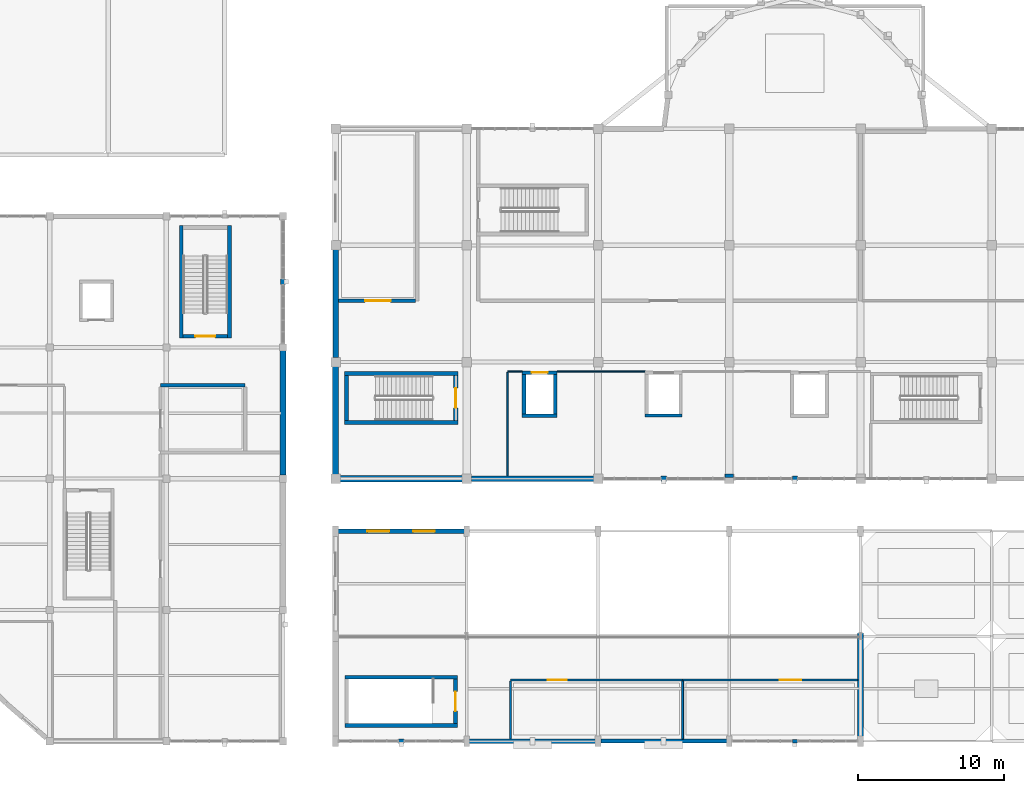
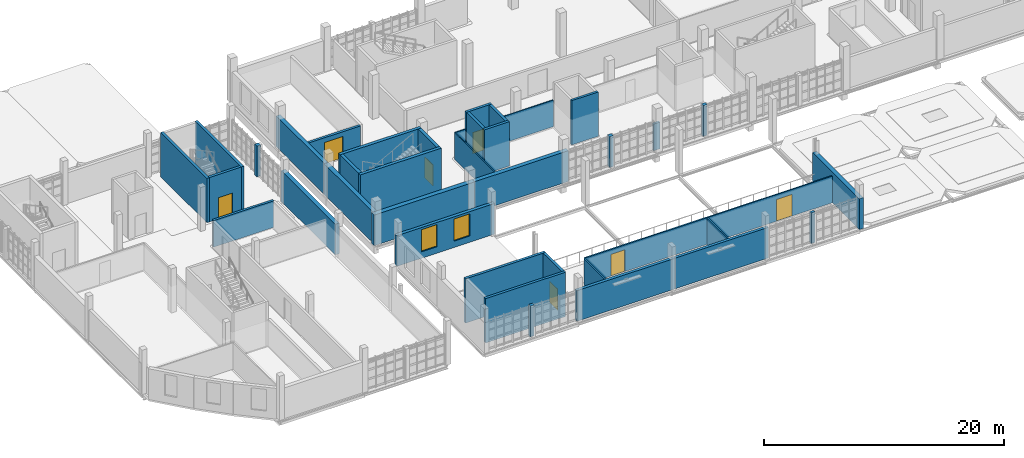
# One storey, part 103 of 125: 39 walls, 7 doors, 2 windows, 9 openings.
"""IFC4 building model written with IfcOpenShell, lengths in metres."""

import ifcopenshell
import ifcopenshell.guid

model = None  # the IFC model being written
_history = None  # IfcOwnerHistory: only IFC2X3 demands one
_inside = {}  # id of a spatial element -> (the spatial element, [elements in it])
_under = {}  # id of a project, library or spatial element -> (it, [spatial elements below it])
_declared = {}  # id of a project -> (the project, [libraries it declares])
_typed = {}  # id of a type object -> (the type object, [elements of that type])
_made_of = {}  # id of a material, layer set ... -> (it, [elements and type objects made of it])


def new_model(schema):
    """Start an empty IFC model of exactly this schema.

    Asked for "IFC4X3", IfcOpenShell would pick the latest addendum, in which some entities
    have other attributes; the version numbers below select the first issue.
    IFC2X3 requires an IfcOwnerHistory on every rooted entity: one is made here for all.
    """
    global model, _history
    if schema == "IFC4X3":
        model = ifcopenshell.file(schema_version=(4, 3, 0, 0))
    else:
        model = ifcopenshell.file(schema=schema)
    _inside.clear()
    _under.clear()
    _declared.clear()
    _typed.clear()
    _made_of.clear()
    _history = None
    if model.schema == "IFC2X3":
        org = make("IfcOrganization", Name="unknown")
        user = make(
            "IfcPersonAndOrganization",
            ThePerson=make("IfcPerson", FamilyName="unknown"),
            TheOrganization=org,
        )
        app = make(
            "IfcApplication",
            ApplicationDeveloper=org,
            Version="unknown",
            ApplicationFullName="unknown",
            ApplicationIdentifier="unknown",
        )
        _history = make(
            "IfcOwnerHistory",
            OwningUser=user,
            OwningApplication=app,
            ChangeAction="ADDED",
            CreationDate=0,
        )
    return model


def make(cls, **values):
    """One entity of the class cls with the attributes given. An attribute that is None is left unset."""
    return model.create_entity(
        cls, **{name: value for name, value in values.items() if value is not None}
    )


def rooted(cls, **values):
    """An entity with a GlobalId (a new one), such as an element, a storey or a relation."""
    return make(cls, GlobalId=ifcopenshell.guid.new(), OwnerHistory=_history, **values)


def si_unit(unit_type, name, prefix=None):
    """IfcSIUnit, for example si_unit("LENGTHUNIT", "METRE", prefix="MILLI")."""
    return make("IfcSIUnit", UnitType=unit_type, Prefix=prefix, Name=name)


def assignment(units):
    """IfcUnitAssignment: the units of a project."""
    return None if units is None else make("IfcUnitAssignment", Units=units)


def point(xyz):
    """IfcCartesianPoint."""
    return None if xyz is None else make("IfcCartesianPoint", Coordinates=xyz)


def direction(xyz):
    """IfcDirection."""
    return None if xyz is None else make("IfcDirection", DirectionRatios=xyz)


def frame(location, z_axis=None, x_axis=None):
    """IfcAxis2Placement3D, a coordinate frame: its origin and axes. An axis left out is left unset."""
    return make(
        "IfcAxis2Placement3D",
        Location=point(location),
        Axis=direction(z_axis),
        RefDirection=direction(x_axis),
    )


def frame_2d(location, x_axis=None):
    """IfcAxis2Placement2D, a coordinate frame in the plane: its origin and x axis."""
    return make(
        "IfcAxis2Placement2D", Location=point(location), RefDirection=direction(x_axis)
    )


def origin():
    """The frame at (0, 0, 0) with its axes left unset."""
    return frame((0.0, 0.0, 0.0))


def place(relative_to, where):
    """IfcLocalPlacement: puts the frame where relative to a parent placement (None: the world)."""
    return make(
        "IfcLocalPlacement", PlacementRelTo=relative_to, RelativePlacement=where
    )


def context(
    kind, dimensions, precision=None, world=None, true_north=None, identifier=None
):
    """IfcGeometricRepresentationContext, for example the 3D "Model" context."""
    return make(
        "IfcGeometricRepresentationContext",
        ContextIdentifier=identifier,
        ContextType=kind,
        CoordinateSpaceDimension=dimensions,
        Precision=precision,
        WorldCoordinateSystem=world,
        TrueNorth=true_north,
    )


def subcontext(parent, identifier, kind, view, scale=None):
    """IfcGeometricRepresentationSubContext, for example "Body" below "Model"."""
    return make(
        "IfcGeometricRepresentationSubContext",
        ContextIdentifier=identifier,
        ContextType=kind,
        ParentContext=parent,
        TargetScale=scale,
        TargetView=view,
    )


def project(units=None, contexts=None):
    """IfcProject with its units and contexts."""
    return rooted(
        "IfcProject",
        Name="project",
        RepresentationContexts=contexts,
        UnitsInContext=assignment(units),
    )


def spatial(cls, under=None, at=None, **own):
    """A site, building, storey or space (cls), placed at a placement, below another one or the project."""
    s = rooted(cls, ObjectPlacement=at, **own)
    if under is not None:
        _under.setdefault(under.id(), (under, []))[1].append(s)
    return s


def profile(cls, at=None, kind="AREA", **sizes):
    """A parametric profile (cls). Its sizes go by their IFC names, for example OverallWidth=200.0."""
    return make(cls, ProfileType=kind, Position=at, **sizes)


def rectangle(**sizes):
    """IfcRectangleProfileDef."""
    return profile("IfcRectangleProfileDef", **sizes)


def extrude(swept, where, along, depth):
    """IfcExtrudedAreaSolid: the profile swept, set in the frame where, extruded along a direction by depth."""
    return make(
        "IfcExtrudedAreaSolid",
        SweptArea=swept,
        Position=where,
        ExtrudedDirection=direction(along),
        Depth=depth,
    )


def shape(context_of_items, identifier, shape_type, items):
    """IfcShapeRepresentation: the items that make up one representation, for example the "Body"."""
    return make(
        "IfcShapeRepresentation",
        ContextOfItems=context_of_items,
        RepresentationIdentifier=identifier,
        RepresentationType=shape_type,
        Items=items,
    )


def material(Name=None, Category=None):
    """IfcMaterial."""
    return make("IfcMaterial", Name=Name, Category=Category)


def layer(
    of_material, thickness, ventilated=None, Name=None, Category=None, Priority=None
):
    """IfcMaterialLayer: one layer of a wall or slab, of a material (None: an air gap)."""
    return make(
        "IfcMaterialLayer",
        Material=of_material,
        LayerThickness=thickness,
        IsVentilated=ventilated,
        Name=Name,
        Category=Category,
        Priority=Priority,
    )


def layer_set(layers, Name=None):
    """IfcMaterialLayerSet."""
    return make("IfcMaterialLayerSet", MaterialLayers=layers, LayerSetName=Name)


def made_of(thing, what):
    """Note that an element or type object is made of a material, layer set ...; save() writes the relation."""
    if what is not None:
        _made_of.setdefault(what.id(), (what, []))[1].append(thing)
    return thing


def type_object(cls, material=None, **own):
    """A type object (cls), such as IfcWallType, which elements share."""
    return made_of(rooted(cls, **own), material)


def element(
    cls,
    number,
    at=None,
    inside=None,
    cuts=None,
    type_object=None,
    material=None,
    context=None,
    identifier="Body",
    shape_type=None,
    held_by="IfcProductDefinitionShape",
    body=None,
    shapes=None,
    **own,
):
    """One element of the class cls, such as IfcWall. Its Tag is "e" and its number.

    at: its placement. inside: the storey or other place that contains it. cuts: it is an
    opening in that element (IfcRelVoidsElement). A single representation is given by context,
    identifier, shape_type and body (its items); several are given by shapes. held_by: the class
    of the entity that holds the representations. save() writes the other relations.
    """
    e = rooted(cls, Tag="e%d" % number, ObjectPlacement=at, **own)
    if body is not None:
        shapes = [shape(context, identifier, shape_type, body)]
    if shapes is not None:
        e.Representation = make(held_by, Representations=shapes)
    if inside is not None:
        _inside.setdefault(inside.id(), (inside, []))[1].append(e)
    if cuts is not None:
        rooted(
            "IfcRelVoidsElement", RelatingBuildingElement=cuts, RelatedOpeningElement=e
        )
    if type_object is not None:
        _typed.setdefault(type_object.id(), (type_object, []))[1].append(e)
    return made_of(e, material)


def fill(opening, filler):
    """IfcRelFillsElement: the door or window that sits in an opening."""
    return rooted(
        "IfcRelFillsElement",
        RelatingOpeningElement=opening,
        RelatedBuildingElement=filler,
    )


def aggregate(whole, parts):
    """IfcRelAggregates: a whole, such as a stair, and the parts it consists of."""
    return rooted("IfcRelAggregates", RelatingObject=whole, RelatedObjects=parts)


def save(model, path):
    """Write the relations noted so far, then the file.

    IfcRelAggregates (storeys below a building ...), IfcRelContainedInSpatialStructure (elements
    in a storey), IfcRelDefinesByType, IfcRelAssociatesMaterial and IfcRelDeclares: one each for
    every whole, place, type object, material and project.
    """
    for whole, parts in _under.values():
        aggregate(whole, parts)
    for where, things in _inside.values():
        rooted(
            "IfcRelContainedInSpatialStructure",
            RelatedElements=things,
            RelatingStructure=where,
        )
    for kind, things in _typed.values():
        rooted("IfcRelDefinesByType", RelatedObjects=things, RelatingType=kind)
    for what, things in _made_of.values():
        rooted("IfcRelAssociatesMaterial", RelatedObjects=things, RelatingMaterial=what)
    for by, libraries in _declared.values():
        rooted("IfcRelDeclares", RelatingContext=by, RelatedDefinitions=libraries)
    model.write(path)


model = new_model("IFC4")

# Units and contexts
model_context = context("Model", 3, precision=1e-05, world=origin(), true_north=direction((0.0, 1.0)))
body_context = subcontext(model_context, "Body", "Model", "MODEL_VIEW")
ifc_project = project(units=[si_unit("LENGTHUNIT", "METRE"), si_unit("AREAUNIT", "SQUARE_METRE"), si_unit("VOLUMEUNIT", "CUBIC_METRE"), si_unit("PLANEANGLEUNIT", "RADIAN"), si_unit("MASSUNIT", "GRAM", prefix="KILO")], contexts=[model_context])

# Site, building, storey
site_placement = place(None, origin())
site = spatial("IfcSite", under=ifc_project, at=site_placement, CompositionType="ELEMENT")
building_placement = place(site_placement, origin())
building = spatial("IfcBuilding", under=site, at=building_placement, Name="Serraforn Aerial Cableway Station", CompositionType="ELEMENT")
storey_placement = place(building_placement, frame((0.0, 0.0, 4.5)))
storey = spatial("IfcBuildingStorey", under=building, at=storey_placement, Name="L01", CompositionType="ELEMENT", Elevation=4.5)

# Wall
ifc_material_1 = material(Name="Concrete C35/45", Category="concrete")
ifc_layer_1 = layer(ifc_material_1, 0.219970703125)
ifc_layer_set_1 = layer_set([ifc_layer_1], Name="Concrete C35/45")
wall_type_1 = type_object("IfcWallType", Name="WL-COR-220", PredefinedType="SHEAR", material=ifc_layer_set_1)
wall_1_placement = place(storey_placement, frame((48.830078125, 22.340087890625, 0.0), z_axis=(0.0, 0.0, 1.0), x_axis=(1.0, 0.0, 0.0)))
element("IfcWall", 1, at=wall_1_placement, inside=storey, type_object=wall_type_1, Name="Lift Shaft Shear Wall WLFT-LF-03-L01-S", PredefinedType="SHEAR", context=body_context, shape_type="SweptSolid", body=[
    extrude(rectangle(XDim=2.5400390625, YDim=0.219970703125, at=frame_2d((1.27001953125, 0.0))), origin(), (0.0, 0.0, 1.0), 4.5),
])

# Wall, opening, door
ifc_layer_2 = layer(ifc_material_1, 0.25)
ifc_layer_set_2 = layer_set([ifc_layer_2], Name="Concrete C35/45")
wall_type_2 = type_object("IfcWallType", Name="WL-COR-250", PredefinedType="SHEAR", material=ifc_layer_set_2)
wall_2_placement = place(storey_placement, frame((20.199951171875, 27.77490234375, 0.0), z_axis=(0.0, 0.0, 1.0), x_axis=(-1.0, 0.0, 0.0)))
wall_2 = element("IfcWall", 2, at=wall_2_placement, inside=storey, type_object=wall_type_2, Name="Stair Core Shear Wall WCOR-ST-02-L01-NEAR", PredefinedType="SHEAR", context=body_context, shape_type="SweptSolid", body=[
    extrude(rectangle(XDim=3.06005859375, YDim=0.25, at=frame_2d((1.530029296875, 0.0))), origin(), (0.0, 0.0, 1.0), 4.5),
])
opening_1_placement = place(wall_2_placement, frame((0.85498046875, 0.0, 0.0)))
opening_1 = element("IfcOpeningElement", 3, at=opening_1_placement, cuts=wall_2, Name="Opening D-S06", PredefinedType="OPENING", context=body_context, shape_type="SweptSolid", body=[
    extrude(rectangle(XDim=1.35009765625, YDim=2.14990234375, at=frame_2d((0.675048828125, 1.074951171875))), frame((0.0, 0.135009765625, 0.0), z_axis=(0.0, -1.0, 0.0), x_axis=(1.0, 0.0, 0.0)), (0.0, 0.0, 1.0), 0.27001953125),
])
ifc_material_2 = material(Name="Self-closing steel stair fire door", Category="steel")
door_type_1 = type_object("IfcDoorType", Name="DR-STAIR-135", OperationType="NOTDEFINED", PredefinedType="DOOR", material=ifc_material_2)
door_1_placement = place(opening_1_placement, origin())
door_1 = element("IfcDoor", 4, at=door_1_placement, inside=storey, type_object=door_type_1, Name="Protected Stair Door D-S06", OperationType="SINGLE_SWING_LEFT", OverallHeight=2.14990234375, OverallWidth=1.35009765625, PredefinedType="DOOR", context=body_context, shape_type="SweptSolid", body=[
    extrude(rectangle(XDim=1.35009765625, YDim=2.14990234375, at=frame_2d((0.675048828125, 1.074951171875))), frame((0.0, 0.02490234375, 0.0), z_axis=(0.0, -1.0, 0.0), x_axis=(1.0, 0.0, 0.0)), (0.0, 0.0, 1.0), 0.050048828125),
])
fill(opening_1, door_1)

# Walls
for number, where, z_axis, x_axis, name in (
    (5, (20.324951171875, 27.64990234375, 0.0), (0.0, 0.0, 1.0), (0.0, 1.0, 0.0), "Stair Core Shear Wall WCOR-ST-02-L01-L"),
    (6, (17.014892578125, 27.64990234375, 0.0), (0.0, 0.0, 1.0), (0.0, 1.0, 0.0), "Stair Core Shear Wall WCOR-ST-02-L01-R"),
):
    element("IfcWall", number, at=place(storey_placement, frame(where, z_axis=z_axis, x_axis=x_axis)), inside=storey, type_object=wall_type_2, Name=name, PredefinedType="SHEAR", context=body_context, shape_type="SweptSolid", body=[
        extrude(rectangle(XDim=7.7001953125, YDim=0.25, at=frame_2d((3.85009765625, 0.0))), origin(), (0.0, 0.0, 1.0), 4.5),
    ])

# Wall, opening, door
wall_3_placement = place(storey_placement, frame((35.824951171875, 4.260009765625, 0.0), z_axis=(0.0, 0.0, 1.0), x_axis=(0.0, -1.0, 0.0)))
wall_3 = element("IfcWall", 7, at=wall_3_placement, inside=storey, type_object=wall_type_2, Name="Stair Core Shear Wall WCOR-ST-06-L01-NEAR", PredefinedType="SHEAR", context=body_context, shape_type="SweptSolid", body=[
    extrude(rectangle(XDim=3.06005859375, YDim=0.25, at=frame_2d((1.530029296875, 0.0))), origin(), (0.0, 0.0, 1.0), 4.5),
])
opening_2_placement = place(wall_3_placement, frame((0.85498046875, 0.0, 0.0)))
opening_2 = element("IfcOpeningElement", 8, at=opening_2_placement, cuts=wall_3, Name="Opening D-S30", PredefinedType="OPENING", context=body_context, shape_type="SweptSolid", body=[
    extrude(rectangle(XDim=1.35009765625, YDim=2.14990234375, at=frame_2d((0.675048828125, 1.074951171875))), frame((0.0, 0.135009765625, 0.0), z_axis=(0.0, -1.0, 0.0), x_axis=(1.0, 0.0, 0.0)), (0.0, 0.0, 1.0), 0.27001953125),
])
door_2_placement = place(opening_2_placement, origin())
door_2 = element("IfcDoor", 9, at=door_2_placement, inside=storey, type_object=door_type_1, Name="Protected Stair Door D-S30", OperationType="SINGLE_SWING_LEFT", OverallHeight=2.14990234375, OverallWidth=1.35009765625, PredefinedType="DOOR", context=body_context, shape_type="SweptSolid", body=[
    extrude(rectangle(XDim=1.35009765625, YDim=2.14990234375, at=frame_2d((0.675048828125, 1.074951171875))), frame((0.0, 0.02490234375, 0.0), z_axis=(0.0, -1.0, 0.0), x_axis=(1.0, 0.0, 0.0)), (0.0, 0.0, 1.0), 0.050048828125),
])
fill(opening_2, door_2)

# Walls
for number, where, z_axis, x_axis, name in (
    (10, (35.949951171875, 4.385009765625, 0.0), (0.0, 0.0, 1.0), (-1.0, 0.0, 0.0), "Stair Core Shear Wall WCOR-ST-06-L01-L"),
    (11, (35.949951171875, 1.074951171875, 0.0), (0.0, 0.0, 1.0), (-1.0, 0.0, 0.0), "Stair Core Shear Wall WCOR-ST-06-L01-R"),
):
    element("IfcWall", number, at=place(storey_placement, frame(where, z_axis=z_axis, x_axis=x_axis)), inside=storey, type_object=wall_type_2, Name=name, PredefinedType="SHEAR", context=body_context, shape_type="SweptSolid", body=[
        extrude(rectangle(XDim=7.699951171875, YDim=0.25, at=frame_2d((3.85009765625, 0.0))), origin(), (0.0, 0.0, 1.0), 4.5),
    ])
wall_4_placement = place(storey_placement, frame((40.39990234375, 22.324951171875, 0.0), z_axis=(0.0, 0.0, 1.0), x_axis=(1.0, 0.0, 0.0)))
element("IfcWall", 12, at=wall_4_placement, inside=storey, type_object=wall_type_2, Name="Lift Shaft Shear Wall WLFT-LF-02-L01-S", PredefinedType="SHEAR", context=body_context, shape_type="SweptSolid", body=[
    extrude(rectangle(XDim=2.400146484375, YDim=0.25, at=frame_2d((1.2001953125, 0.0))), origin(), (0.0, 0.0, 1.0), 4.5),
])

# Wall, opening, door
wall_5_placement = place(storey_placement, frame((40.39990234375, 25.27490234375, 0.0), z_axis=(0.0, 0.0, 1.0), x_axis=(1.0, 0.0, 0.0)))
wall_5 = element("IfcWall", 13, at=wall_5_placement, inside=storey, type_object=wall_type_2, Name="Lift Shaft Shear Wall WLFT-LF-02-L01-N", PredefinedType="SHEAR", context=body_context, shape_type="SweptSolid", body=[
    extrude(rectangle(XDim=2.400146484375, YDim=0.25, at=frame_2d((1.2001953125, 0.0))), origin(), (0.0, 0.0, 1.0), 4.5),
])
opening_3_placement = place(wall_5_placement, frame((0.64990234375, 0.0, 0.0)))
opening_3 = element("IfcOpeningElement", 14, at=opening_3_placement, cuts=wall_5, Name="Opening LD-07", PredefinedType="OPENING", context=body_context, shape_type="SweptSolid", body=[
    extrude(rectangle(XDim=1.10009765625, YDim=2.14990234375, at=frame_2d((0.550048828125, 1.074951171875))), frame((0.0, 0.135009765625, 0.0), z_axis=(0.0, -1.0, 0.0), x_axis=(1.0, 0.0, 0.0)), (0.0, 0.0, 1.0), 0.27001953125),
])
ifc_material_3 = material(Name="Brushed stainless-steel sliding lift landing door", Category="steel")
door_type_2 = type_object("IfcDoorType", Name="DR-LIFT-110", OperationType="SLIDING_TO_LEFT", PredefinedType="DOOR", material=ifc_material_3)
door_3_placement = place(opening_3_placement, origin())
door_3 = element("IfcDoor", 15, at=door_3_placement, inside=storey, type_object=door_type_2, Name="Sliding Lift Landing Door LD-07 (LF-02 L01)", OperationType="SLIDING_TO_LEFT", OverallHeight=2.14990234375, OverallWidth=1.10009765625, PredefinedType="DOOR", context=body_context, shape_type="SweptSolid", body=[
    extrude(rectangle(XDim=1.10009765625, YDim=2.14990234375, at=frame_2d((0.550048828125, 1.074951171875))), frame((0.0, 0.02490234375, 0.0), z_axis=(0.0, -1.0, 0.0), x_axis=(1.0, 0.0, 0.0)), (0.0, 0.0, 1.0), 0.050048828125),
])
fill(opening_3, door_3)

# Walls
for number, where, z_axis, x_axis, name in (
    (16, (40.52490234375, 22.449951171875, 0.0), (0.0, 0.0, 1.0), (0.0, 1.0, 0.0), "Lift Shaft Shear Wall WLFT-LF-02-L01-W"),
    (17, (42.675048828125, 22.449951171875, 0.0), (0.0, 0.0, 1.0), (0.0, 1.0, 0.0), "Lift Shaft Shear Wall WLFT-LF-02-L01-E"),
):
    element("IfcWall", number, at=place(storey_placement, frame(where, z_axis=z_axis, x_axis=x_axis)), inside=storey, type_object=wall_type_2, Name=name, PredefinedType="SHEAR", context=body_context, shape_type="SweptSolid", body=[
        extrude(rectangle(XDim=2.699951171875, YDim=0.25, at=frame_2d((1.35009765625, 0.0))), origin(), (0.0, 0.0, 1.0), 4.5),
    ])

# Wall, opening, door
ifc_layer_3 = layer(ifc_material_1, 0.300048828125)
ifc_layer_set_3 = layer_set([ifc_layer_3], Name="Concrete C35/45")
wall_type_3 = type_object("IfcWallType", Name="WL-COR-300", PredefinedType="SHEAR", material=ifc_layer_set_3)
wall_6_placement = place(storey_placement, frame((35.85009765625, 25.06005859375, 0.0), z_axis=(0.0, 0.0, 1.0), x_axis=(0.0, -1.0, 0.0)))
wall_6 = element("IfcWall", 18, at=wall_6_placement, inside=storey, type_object=wall_type_3, Name="Stair Core Shear Wall WCOR-ST-03-L01-NEAR", PredefinedType="SHEAR", context=body_context, shape_type="SweptSolid", body=[
    extrude(rectangle(XDim=3.06005859375, YDim=0.300048828125, at=frame_2d((1.530029296875, 0.0))), origin(), (0.0, 0.0, 1.0), 4.5),
])
opening_4_placement = place(wall_6_placement, frame((0.85498046875, 0.0, 0.0)))
opening_4 = element("IfcOpeningElement", 19, at=opening_4_placement, cuts=wall_6, Name="Opening D-S14", PredefinedType="OPENING", context=body_context, shape_type="SweptSolid", body=[
    extrude(rectangle(XDim=1.35009765625, YDim=2.14990234375, at=frame_2d((0.675048828125, 1.074951171875))), frame((0.0, 0.159912109375, 0.0), z_axis=(0.0, -1.0, 0.0), x_axis=(1.0, 0.0, 0.0)), (0.0, 0.0, 1.0), 0.320068359375),
])
door_4_placement = place(opening_4_placement, origin())
door_4 = element("IfcDoor", 20, at=door_4_placement, inside=storey, type_object=door_type_1, Name="Protected Stair Door D-S14", OperationType="SINGLE_SWING_RIGHT", OverallHeight=2.14990234375, OverallWidth=1.35009765625, PredefinedType="DOOR", context=body_context, shape_type="SweptSolid", body=[
    extrude(rectangle(XDim=1.35009765625, YDim=2.14990234375, at=frame_2d((0.675048828125, 1.074951171875))), frame((0.0, 0.02490234375, 0.0), z_axis=(0.0, -1.0, 0.0), x_axis=(1.0, 0.0, 0.0)), (0.0, 0.0, 1.0), 0.050048828125),
])
fill(opening_4, door_4)

# Walls
wall_7_placement = place(storey_placement, frame((28.35009765625, 25.06005859375, 0.0), z_axis=(0.0, 0.0, 1.0), x_axis=(0.0, -1.0, 0.0)))
element("IfcWall", 21, at=wall_7_placement, inside=storey, type_object=wall_type_3, Name="Stair Core Shear Wall WCOR-ST-03-L01-FAR", PredefinedType="SHEAR", context=body_context, shape_type="SweptSolid", body=[
    extrude(rectangle(XDim=3.06005859375, YDim=0.300048828125, at=frame_2d((1.530029296875, 0.0))), origin(), (0.0, 0.0, 1.0), 4.5),
])
for number, where, z_axis, x_axis, name in (
    (22, (36.0, 25.2099609375, 0.0), (0.0, 0.0, 1.0), (-1.0, 0.0, 0.0), "Stair Core Shear Wall WCOR-ST-03-L01-L"),
    (23, (36.0, 21.85009765625, 0.0), (0.0, 0.0, 1.0), (-1.0, 0.0, 0.0), "Stair Core Shear Wall WCOR-ST-03-L01-R"),
):
    element("IfcWall", number, at=place(storey_placement, frame(where, z_axis=z_axis, x_axis=x_axis)), inside=storey, type_object=wall_type_3, Name=name, PredefinedType="SHEAR", context=body_context, shape_type="SweptSolid", body=[
        extrude(rectangle(XDim=7.800048828125, YDim=0.300048828125, at=frame_2d((3.89990234375, 0.0))), origin(), (0.0, 0.0, 1.0), 4.5),
    ])
ifc_material_4 = material(Name="Insulated stuccoed terracotta facade", Category="masonry")
ifc_layer_4 = layer(ifc_material_4, 0.260009765625)
ifc_layer_set_4 = layer_set([ifc_layer_4], Name="Insulated stuccoed terracotta facade")
wall_type_4 = type_object("IfcWallType", Name="WL-EXT-260", PredefinedType="SOLIDWALL", material=ifc_layer_set_4)
wall_8_placement = place(storey_placement, frame((58.919921875, 0.0, 0.0), z_axis=(0.0, 0.0, 1.0), x_axis=(1.0, 0.0, 0.0)))
element("IfcWall", 24, at=wall_8_placement, inside=storey, type_object=wall_type_4, Name="Exterior Wall WPIER-CF-L01-S4", PredefinedType="SOLIDWALL", context=body_context, shape_type="SweptSolid", body=[
    extrude(rectangle(XDim=0.360107421875, YDim=0.260009765625, at=frame_2d((0.18017578125, 0.0))), origin(), (0.0, 0.0, 1.0), 3.1201171875),
])
ifc_layer_5 = layer(ifc_material_4, 0.27490234375)
ifc_layer_set_5 = layer_set([ifc_layer_5], Name="Insulated stuccoed terracotta facade")
wall_type_5 = type_object("IfcWallType", Name="WL-EXT-275", PredefinedType="SOLIDWALL", material=ifc_layer_set_5)
wall_9_placement = place(storey_placement, frame((45.801025390625, 0.0, 0.0), z_axis=(0.0, 0.0, 1.0), x_axis=(1.0, 0.0, 0.0)))
element("IfcWall", 25, at=wall_9_placement, inside=storey, type_object=wall_type_5, Name="Exterior Wall WEXT-CF-L01-S3", PredefinedType="SOLIDWALL", context=body_context, shape_type="SweptSolid", body=[
    extrude(rectangle(XDim=8.9990234375, YDim=0.27490234375, at=frame_2d((4.49951171875, 0.0))), origin(), (0.0, 0.0, 1.0), 3.1201171875),
])
ifc_material_5 = material(Name="Insulated fluted limestone rainscreen", Category="masonry")
ifc_layer_6 = layer(ifc_material_5, 0.2900390625)
ifc_layer_set_6 = layer_set([ifc_layer_6], Name="Insulated fluted limestone rainscreen")
wall_type_6 = type_object("IfcWallType", Name="WL-EXT-290", PredefinedType="SOLIDWALL", material=ifc_layer_set_6)
wall_10_placement = place(storey_placement, frame((36.39990234375, 0.0, 0.0), z_axis=(0.0, 0.0, 1.0), x_axis=(1.0, 0.0, 0.0)))
element("IfcWall", 26, at=wall_10_placement, inside=storey, type_object=wall_type_6, Name="Exterior Wall WEXT-CF-L01-S2", PredefinedType="SOLIDWALL", context=body_context, shape_type="SweptSolid", body=[
    extrude(rectangle(XDim=9.400146484375, YDim=0.2900390625, at=frame_2d((4.7001953125, 0.0))), origin(), (0.0, 0.0, 1.0), 3.1201171875),
])

# Wall, openings, windows
ifc_layer_7 = layer(ifc_material_5, 0.304931640625)
ifc_layer_set_7 = layer_set([ifc_layer_7], Name="Insulated fluted limestone rainscreen")
wall_type_7 = type_object("IfcWallType", Name="WL-EXT-305", PredefinedType="SOLIDWALL", material=ifc_layer_set_7)
wall_11_placement = place(storey_placement, frame((36.800048828125, 14.39990234375, 0.0), z_axis=(0.0, 0.0, 1.0), x_axis=(-1.0, 0.0, 0.0)))
wall_11 = element("IfcWall", 27, at=wall_11_placement, inside=storey, type_object=wall_type_7, Name="Exterior Wall WEXT-CF-L01-N1", PredefinedType="SOLIDWALL", context=body_context, shape_type="SweptSolid", body=[
    extrude(rectangle(XDim=9.400146484375, YDim=0.304931640625, at=frame_2d((4.7001953125, 0.0))), origin(), (0.0, 0.0, 1.0), 3.1201171875),
])
opening_5_placement = place(wall_11_placement, frame((2.38330078125, 0.0, 0.64990234375)))
opening_5 = element("IfcOpeningElement", 28, at=opening_5_placement, cuts=wall_11, Name="Opening W-08", PredefinedType="OPENING", context=body_context, shape_type="SweptSolid", body=[
    extrude(rectangle(XDim=1.5, YDim=2.25, at=frame_2d((0.75, 1.125))), frame((0.0, 0.162353515625, 0.0), z_axis=(0.0, -1.0, 0.0), x_axis=(1.0, 0.0, 0.0)), (0.0, 0.0, 1.0), 0.324951171875),
])
opening_6_placement = place(wall_11_placement, frame((5.5166015625, 0.0, 0.64990234375)))
opening_6 = element("IfcOpeningElement", 29, at=opening_6_placement, cuts=wall_11, Name="Opening W-08", PredefinedType="OPENING", context=body_context, shape_type="SweptSolid", body=[
    extrude(rectangle(XDim=1.5, YDim=2.25, at=frame_2d((0.75, 1.125))), frame((0.0, 0.162353515625, 0.0), z_axis=(0.0, -1.0, 0.0), x_axis=(1.0, 0.0, 0.0)), (0.0, 0.0, 1.0), 0.324951171875),
])
ifc_material_6 = material(Name="Anodised bronze aluminium and low-E double glazing", Category="aluminium")
window_type = type_object("IfcWindowType", Name="WIN-ART-08", PartitioningType="SINGLE_PANEL", PredefinedType="WINDOW", material=ifc_material_6)
window_1_placement = place(opening_5_placement, origin())
window_1 = element("IfcWindow", 30, at=window_1_placement, inside=storey, type_object=window_type, Name="Art Deco Window WEXT-CF-L01-N1-W1", OverallHeight=2.25, OverallWidth=1.5, PartitioningType="SINGLE_PANEL", PredefinedType="WINDOW", context=body_context, shape_type="SweptSolid", body=[
    extrude(rectangle(XDim=1.5, YDim=2.25, at=frame_2d((0.75, 1.125))), frame((0.0, 0.030029296875, 0.0), z_axis=(0.0, -1.0, 0.0), x_axis=(1.0, 0.0, 0.0)), (0.0, 0.0, 1.0), 0.06005859375),
])
fill(opening_5, window_1)
window_2_placement = place(opening_6_placement, origin())
window_2 = element("IfcWindow", 31, at=window_2_placement, inside=storey, type_object=window_type, Name="Art Deco Window WEXT-CF-L01-N1-W2", OverallHeight=2.25, OverallWidth=1.5, PartitioningType="SINGLE_PANEL", PredefinedType="WINDOW", context=body_context, shape_type="SweptSolid", body=[
    extrude(rectangle(XDim=1.5, YDim=2.25, at=frame_2d((0.75, 1.125))), frame((0.0, 0.030029296875, 0.0), z_axis=(0.0, -1.0, 0.0), x_axis=(1.0, 0.0, 0.0)), (0.0, 0.0, 1.0), 0.06005859375),
])
fill(opening_6, window_2)

# Walls
ifc_layer_8 = layer(ifc_material_5, 0.320068359375)
ifc_layer_set_8 = layer_set([ifc_layer_8], Name="Insulated fluted limestone rainscreen")
wall_type_8 = type_object("IfcWallType", Name="WL-EXT-320", PredefinedType="SOLIDWALL", material=ifc_layer_set_8)
wall_12_placement = place(storey_placement, frame((31.919921875, 0.0, 0.0), z_axis=(0.0, 0.0, 1.0), x_axis=(1.0, 0.0, 0.0)))
element("IfcWall", 32, at=wall_12_placement, inside=storey, type_object=wall_type_8, Name="Exterior Wall WPIER-CF-L01-S1", PredefinedType="SOLIDWALL", context=body_context, shape_type="SweptSolid", body=[
    extrude(rectangle(XDim=0.360107421875, YDim=0.320068359375, at=frame_2d((0.18017578125, 0.0))), origin(), (0.0, 0.0, 1.0), 3.1201171875),
])
ifc_layer_9 = layer(ifc_material_5, 0.3349609375)
ifc_layer_set_9 = layer_set([ifc_layer_9], Name="Insulated fluted limestone rainscreen")
wall_type_9 = type_object("IfcWallType", Name="WL-EXT-335", PredefinedType="SOLIDWALL", material=ifc_layer_set_9)
wall_13_placement = place(storey_placement, frame((58.919921875, 18.0, 0.0), z_axis=(0.0, 0.0, 1.0), x_axis=(1.0, 0.0, 0.0)))
element("IfcWall", 33, at=wall_13_placement, inside=storey, type_object=wall_type_9, Name="Exterior Wall WPIER-CV-L01-S4", PredefinedType="SOLIDWALL", context=body_context, shape_type="SweptSolid", body=[
    extrude(rectangle(XDim=0.360107421875, YDim=0.3349609375, at=frame_2d((0.18017578125, 0.0))), origin(), (0.0, 0.0, 1.0), 3.1201171875),
])
ifc_material_7 = material(Name="Montjuic sandstone ashlar masonry", Category="masonry")
ifc_layer_10 = layer(ifc_material_7, 0.364990234375)
ifc_layer_set_10 = layer_set([ifc_layer_10], Name="Montjuic sandstone ashlar masonry")
wall_type_10 = type_object("IfcWallType", Name="WL-EXT-365", PredefinedType="SOLIDWALL", material=ifc_layer_set_10)
wall_14_placement = place(storey_placement, frame((24.0, 31.320068359375, 0.0), z_axis=(0.0, 0.0, 1.0), x_axis=(0.0, 1.0, 0.0)))
element("IfcWall", 34, at=wall_14_placement, inside=storey, type_object=wall_type_10, Name="Exterior Wall WPIER-W-L01-E4", PredefinedType="SOLIDWALL", context=body_context, shape_type="SweptSolid", body=[
    extrude(rectangle(XDim=0.35986328125, YDim=0.364990234375, at=frame_2d((0.179931640625, 0.0))), origin(), (0.0, 0.0, 1.0), 3.1201171875),
])
wall_15_placement = place(storey_placement, frame((49.919921875, 18.0, 0.0), z_axis=(0.0, 0.0, 1.0), x_axis=(1.0, 0.0, 0.0)))
element("IfcWall", 35, at=wall_15_placement, inside=storey, type_object=wall_type_10, Name="Exterior Wall WPIER-CV-L01-S3", PredefinedType="SOLIDWALL", context=body_context, shape_type="SweptSolid", body=[
    extrude(rectangle(XDim=0.360107421875, YDim=0.364990234375, at=frame_2d((0.18017578125, 0.0))), origin(), (0.0, 0.0, 1.0), 3.1201171875),
])
ifc_layer_11 = layer(ifc_material_7, 0.3798828125)
ifc_layer_set_11 = layer_set([ifc_layer_11], Name="Montjuic sandstone ashlar masonry")
wall_type_11 = type_object("IfcWallType", Name="WL-EXT-380", PredefinedType="SOLIDWALL", material=ifc_layer_set_11)
wall_16_placement = place(storey_placement, frame((27.60009765625, 34.324951171875, 0.0), z_axis=(0.0, 0.0, 1.0), x_axis=(0.0, -1.0, 0.0)))
element("IfcWall", 36, at=wall_16_placement, inside=storey, type_object=wall_type_11, Name="Exterior Wall WEXT-CV-L01-W2", PredefinedType="SOLIDWALL", context=body_context, shape_type="SweptSolid", body=[
    extrude(rectangle(XDim=7.9990234375, YDim=0.3798828125, at=frame_2d((3.99951171875, 0.0))), origin(), (0.0, 0.0, 1.0), 3.1201171875),
])
ifc_layer_12 = layer(ifc_material_7, 0.39990234375)
ifc_layer_set_12 = layer_set([ifc_layer_12], Name="Montjuic sandstone ashlar masonry")
wall_type_12 = type_object("IfcWallType", Name="WL-EXT-400", PredefinedType="SOLIDWALL", material=ifc_layer_set_12)
wall_17_placement = place(storey_placement, frame((24.0, 18.2509765625, 0.0), z_axis=(0.0, 0.0, 1.0), x_axis=(0.0, 1.0, 0.0)))
element("IfcWall", 37, at=wall_17_placement, inside=storey, type_object=wall_type_12, Name="Exterior Wall WEXT-W-L01-E3", PredefinedType="SOLIDWALL", context=body_context, shape_type="SweptSolid", body=[
    extrude(rectangle(XDim=8.9990234375, YDim=0.39990234375, at=frame_2d((4.49951171875, 0.0))), origin(), (0.0, 0.0, 1.0), 3.1201171875),
])
wall_18_placement = place(storey_placement, frame((63.60009765625, -0.35009765625, 0.0), z_axis=(0.0, 0.0, 1.0), x_axis=(0.0, 1.0, 0.0)))
element("IfcWall", 38, at=wall_18_placement, inside=storey, type_object=wall_type_12, Name="Exterior Wall WEXT-CF-L01-E1", PredefinedType="SOLIDWALL", context=body_context, shape_type="SweptSolid", body=[
    extrude(rectangle(XDim=7.775146484375, YDim=0.39990234375, at=frame_2d((3.8876953125, 0.0))), origin(), (0.0, 0.0, 1.0), 3.1201171875),
])
wall_19_placement = place(storey_placement, frame((36.926025390625, 18.0, 0.0), z_axis=(0.0, 0.0, 1.0), x_axis=(1.0, 0.0, 0.0)))
element("IfcWall", 39, at=wall_19_placement, inside=storey, type_object=wall_type_12, Name="Exterior Wall WEXT-CV-L01-S2", PredefinedType="SOLIDWALL", context=body_context, shape_type="SweptSolid", body=[
    extrude(rectangle(XDim=8.9990234375, YDim=0.39990234375, at=frame_2d((4.49951171875, 0.0))), origin(), (0.0, 0.0, 1.0), 3.1201171875),
])
ifc_layer_13 = layer(ifc_material_7, 0.4150390625)
ifc_layer_set_13 = layer_set([ifc_layer_13], Name="Montjuic sandstone ashlar masonry")
wall_type_13 = type_object("IfcWallType", Name="WL-EXT-415", PredefinedType="SOLIDWALL", material=ifc_layer_set_13)
wall_20_placement = place(storey_placement, frame((27.60009765625, 26.324951171875, 0.0), z_axis=(0.0, 0.0, 1.0), x_axis=(0.0, -1.0, 0.0)))
element("IfcWall", 40, at=wall_20_placement, inside=storey, type_object=wall_type_13, Name="Exterior Wall WEXT-CV-L01-W1", PredefinedType="SOLIDWALL", context=body_context, shape_type="SweptSolid", body=[
    extrude(rectangle(XDim=8.10888671875, YDim=0.4150390625, at=frame_2d((4.054443359375, 0.0))), origin(), (0.0, 0.0, 1.0), 3.1201171875),
])
ifc_layer_14 = layer(ifc_material_7, 0.429931640625)
ifc_layer_set_14 = layer_set([ifc_layer_14], Name="Montjuic sandstone ashlar masonry")
wall_type_14 = type_object("IfcWallType", Name="WL-EXT-430", PredefinedType="SOLIDWALL", material=ifc_layer_set_14)
wall_21_placement = place(storey_placement, frame((27.27490234375, 18.0, 0.0), z_axis=(0.0, 0.0, 1.0), x_axis=(1.0, 0.0, 0.0)))
element("IfcWall", 41, at=wall_21_placement, inside=storey, type_object=wall_type_14, Name="Exterior Wall WEXT-CV-L01-S1", PredefinedType="SOLIDWALL", context=body_context, shape_type="SweptSolid", body=[
    extrude(rectangle(XDim=9.650146484375, YDim=0.429931640625, at=frame_2d((4.8251953125, 0.0))), origin(), (0.0, 0.0, 1.0), 3.1201171875),
])
ifc_material_8 = material(Name="Sanitary service chase partition")
ifc_layer_15 = layer(ifc_material_8, 0.22802734375)
ifc_layer_set_15 = layer_set([ifc_layer_15], Name="Sanitary service chase partition")
wall_type_15 = type_object("IfcWallType", Name="WL-PLM-228", PredefinedType="PLUMBINGWALL", material=ifc_layer_set_15)
wall_22_placement = place(storey_placement, frame((15.60009765625, 24.39990234375, 0.0), z_axis=(0.0, 0.0, 1.0), x_axis=(1.0, 0.0, 0.0)))
element("IfcWall", 42, at=wall_22_placement, inside=storey, type_object=wall_type_15, Name="Interior Partition WPRT-L01-03-105", PredefinedType="PLUMBINGWALL", context=body_context, shape_type="SweptSolid", body=[
    extrude(rectangle(XDim=5.7998046875, YDim=0.22802734375, at=frame_2d((2.89990234375, 0.0))), origin(), (0.0, 0.0, 1.0), 2.699951171875),
])
ifc_material_9 = material(Name="Glazed acoustic timber-framed partition", Category="wood")
ifc_layer_16 = layer(ifc_material_9, 0.097900390625)
ifc_layer_set_16 = layer_set([ifc_layer_16], Name="Glazed acoustic timber-framed partition")
wall_type_16 = type_object("IfcWallType", Name="WL-PRT-098", PredefinedType="PARTITIONING", material=ifc_layer_set_16)
wall_23_placement = place(storey_placement, frame((42.801025390625, 25.35009765625, 0.0), z_axis=(0.0, 0.0, 1.0), x_axis=(1.0, 0.0, 0.0)))
element("IfcWall", 43, at=wall_23_placement, inside=storey, type_object=wall_type_16, Name="Interior Partition WPRT-L01-20-116", PredefinedType="PARTITIONING", context=body_context, shape_type="SweptSolid", body=[
    extrude(rectangle(XDim=6.028076171875, YDim=0.097900390625, at=frame_2d((3.01416015625, 0.0))), origin(), (0.0, 0.0, 1.0), 2.699951171875),
])
ifc_layer_17 = layer(ifc_material_9, 0.10205078125)
ifc_layer_set_17 = layer_set([ifc_layer_17], Name="Glazed acoustic timber-framed partition")
wall_type_17 = type_object("IfcWallType", Name="WL-PRT-102", PredefinedType="PARTITIONING", material=ifc_layer_set_17)
wall_24_placement = place(storey_placement, frame((39.39990234375, 25.35009765625, 0.0), z_axis=(0.0, 0.0, 1.0), x_axis=(1.0, 0.0, 0.0)))
element("IfcWall", 44, at=wall_24_placement, inside=storey, type_object=wall_type_17, Name="Interior Partition WPRT-L01-20-115", PredefinedType="PARTITIONING", context=body_context, shape_type="SweptSolid", body=[
    extrude(rectangle(XDim=0.9990234375, YDim=0.10205078125, at=frame_2d((0.49951171875, 0.0))), origin(), (0.0, 0.0, 1.0), 2.699951171875),
])
ifc_layer_18 = layer(ifc_material_9, 0.10595703125)
ifc_layer_set_18 = layer_set([ifc_layer_18], Name="Glazed acoustic timber-framed partition")
wall_type_18 = type_object("IfcWallType", Name="WL-PRT-106", PredefinedType="PARTITIONING", material=ifc_layer_set_18)
wall_25_placement = place(storey_placement, frame((39.39990234375, 18.200927734375, 0.0), z_axis=(0.0, 0.0, 1.0), x_axis=(0.0, 1.0, 0.0)))
element("IfcWall", 45, at=wall_25_placement, inside=storey, type_object=wall_type_18, Name="Interior Partition WPRT-L01-20-114", PredefinedType="PARTITIONING", context=body_context, shape_type="SweptSolid", body=[
    extrude(rectangle(XDim=7.09716796875, YDim=0.10595703125, at=frame_2d((3.548583984375, 0.0))), origin(), (0.0, 0.0, 1.0), 2.699951171875),
])

# Wall, opening, door
ifc_material_10 = material(Name="Metal-stud gypsum partition")
ifc_layer_19 = layer(ifc_material_10, 0.1220703125)
ifc_layer_set_19 = layer_set([ifc_layer_19], Name="Metal-stud gypsum partition")
wall_type_19 = type_object("IfcWallType", Name="WL-PRT-122", PredefinedType="PARTITIONING", material=ifc_layer_set_19)
wall_26_placement = place(storey_placement, frame((51.39990234375, 4.199951171875, 0.0), z_axis=(0.0, 0.0, 1.0), x_axis=(1.0, 0.0, 0.0)))
wall_26 = element("IfcWall", 46, at=wall_26_placement, inside=storey, type_object=wall_type_19, Name="Interior Partition WPRT-L01-22-110", PredefinedType="PARTITIONING", context=body_context, shape_type="SweptSolid", body=[
    extrude(rectangle(XDim=11.9990234375, YDim=0.1220703125, at=frame_2d((5.99951171875, 0.0))), origin(), (0.0, 0.0, 1.0), 2.699951171875),
])
opening_7_placement = place(wall_26_placement, frame((6.659912109375, 0.0, 0.0)))
opening_7 = element("IfcOpeningElement", 47, at=opening_7_placement, cuts=wall_26, Name="Opening DI-035", PredefinedType="OPENING", context=body_context, shape_type="SweptSolid", body=[
    extrude(rectangle(XDim=1.47998046875, YDim=2.199951171875, at=frame_2d((0.739990234375, 1.10009765625))), frame((0.0, 0.071044921875, 0.0), z_axis=(0.0, -1.0, 0.0), x_axis=(1.0, 0.0, 0.0)), (0.0, 0.0, 1.0), 0.14208984375),
])
ifc_material_11 = material(Name="Double-leaf glazed salon door")
door_type_3 = type_object("IfcDoorType", Name="DR-INT-148U", OperationType="NOTDEFINED", PredefinedType="DOOR", material=ifc_material_11)
door_5_placement = place(opening_7_placement, origin())
door_5 = element("IfcDoor", 48, at=door_5_placement, inside=storey, type_object=door_type_3, Name="Room Door DI-035 (L01-22)", OperationType="SINGLE_SWING_RIGHT", OverallHeight=2.199951171875, OverallWidth=1.47998046875, PredefinedType="DOOR", context=body_context, shape_type="SweptSolid", body=[
    extrude(rectangle(XDim=1.47998046875, YDim=2.199951171875, at=frame_2d((0.739990234375, 1.10009765625))), frame((0.0, 0.02490234375, 0.0), z_axis=(0.0, -1.0, 0.0), x_axis=(1.0, 0.0, 0.0)), (0.0, 0.0, 1.0), 0.050048828125),
])
fill(opening_7, door_5)

# Wall
ifc_layer_20 = layer(ifc_material_10, 0.1298828125)
ifc_layer_set_20 = layer_set([ifc_layer_20], Name="Metal-stud gypsum partition")
wall_type_20 = type_object("IfcWallType", Name="WL-PRT-130", PredefinedType="PARTITIONING", material=ifc_layer_set_20)
wall_27_placement = place(storey_placement, frame((51.39990234375, 4.12890625, 0.0), z_axis=(0.0, 0.0, 1.0), x_axis=(0.0, -1.0, 0.0)))
element("IfcWall", 49, at=wall_27_placement, inside=storey, type_object=wall_type_20, Name="Interior Partition WPRT-L01-21-109", PredefinedType="PARTITIONING", context=body_context, shape_type="SweptSolid", body=[
    extrude(rectangle(XDim=3.990478515625, YDim=0.1298828125, at=frame_2d((1.9951171875, 0.0))), origin(), (0.0, 0.0, 1.0), 2.699951171875),
])

# Wall, opening, door
ifc_material_12 = material(Name="Acoustic twin-stud gypsum partition")
ifc_layer_21 = layer(ifc_material_12, 0.139892578125)
ifc_layer_set_21 = layer_set([ifc_layer_21], Name="Acoustic twin-stud gypsum partition")
wall_type_21 = type_object("IfcWallType", Name="WL-PRT-140", PredefinedType="PARTITIONING", material=ifc_layer_set_21)
wall_28_placement = place(storey_placement, frame((39.60009765625, 4.199951171875, 0.0), z_axis=(0.0, 0.0, 1.0), x_axis=(1.0, 0.0, 0.0)))
wall_28 = element("IfcWall", 50, at=wall_28_placement, inside=storey, type_object=wall_type_21, Name="Interior Partition WPRT-L01-21-108", PredefinedType="PARTITIONING", context=body_context, shape_type="SweptSolid", body=[
    extrude(rectangle(XDim=11.7998046875, YDim=0.139892578125, at=frame_2d((5.89990234375, 0.0))), origin(), (0.0, 0.0, 1.0), 2.699951171875),
])
opening_8_placement = place(wall_28_placement, frame((2.5400390625, 0.0, 0.0)))
opening_8 = element("IfcOpeningElement", 51, at=opening_8_placement, cuts=wall_28, Name="Opening DI-034", PredefinedType="OPENING", context=body_context, shape_type="SweptSolid", body=[
    extrude(rectangle(XDim=1.320068359375, YDim=2.199951171875, at=frame_2d((0.66015625, 1.10009765625))), frame((0.0, 0.079833984375, 0.0), z_axis=(0.0, -1.0, 0.0), x_axis=(1.0, 0.0, 0.0)), (0.0, 0.0, 1.0), 0.159912109375),
])
ifc_material_13 = material(Name="Double-leaf fire-rated hall door")
door_type_4 = type_object("IfcDoorType", Name="DR-INT-132", OperationType="NOTDEFINED", PredefinedType="DOOR", material=ifc_material_13)
door_6_placement = place(opening_8_placement, origin())
door_6 = element("IfcDoor", 52, at=door_6_placement, inside=storey, type_object=door_type_4, Name="Room Door DI-034 (L01-21)", OperationType="SINGLE_SWING_LEFT", OverallHeight=2.199951171875, OverallWidth=1.320068359375, PredefinedType="DOOR", context=body_context, shape_type="SweptSolid", body=[
    extrude(rectangle(XDim=1.320068359375, YDim=2.199951171875, at=frame_2d((0.66015625, 1.10009765625))), frame((0.0, 0.02490234375, 0.0), z_axis=(0.0, -1.0, 0.0), x_axis=(1.0, 0.0, 0.0)), (0.0, 0.0, 1.0), 0.050048828125),
])
fill(opening_8, door_6)

# Walls
ifc_layer_22 = layer(ifc_material_12, 0.14990234375)
ifc_layer_set_22 = layer_set([ifc_layer_22], Name="Acoustic twin-stud gypsum partition")
wall_type_22 = type_object("IfcWallType", Name="WL-PRT-150", PredefinedType="PARTITIONING", material=ifc_layer_set_22)
wall_29_placement = place(storey_placement, frame((39.60009765625, 0.14599609375, 0.0), z_axis=(0.0, 0.0, 1.0), x_axis=(0.0, 1.0, 0.0)))
element("IfcWall", 53, at=wall_29_placement, inside=storey, type_object=wall_type_22, Name="Interior Partition WPRT-L01-21-107", PredefinedType="PARTITIONING", context=body_context, shape_type="SweptSolid", body=[
    extrude(rectangle(XDim=3.98291015625, YDim=0.14990234375, at=frame_2d((1.991455078125, 0.0))), origin(), (0.0, 0.0, 1.0), 2.699951171875),
])
ifc_material_14 = material(Name="Acoustic masonry blockwork", Category="masonry")
ifc_layer_23 = layer(ifc_material_14, 0.2099609375)
ifc_layer_set_23 = layer_set([ifc_layer_23], Name="Acoustic masonry blockwork")
wall_type_23 = type_object("IfcWallType", Name="WL-PRT-210", PredefinedType="PARTITIONING", material=ifc_layer_set_23)
wall_30_placement = place(storey_placement, frame((54.903076171875, 18.199951171875, 0.0), z_axis=(0.0, 0.0, 1.0), x_axis=(-1.0, 0.0, 0.0)))
element("IfcWall", 54, at=wall_30_placement, inside=storey, type_object=wall_type_23, Name="Interior Partition WPRT-L01-20-121", PredefinedType="PARTITIONING", context=body_context, shape_type="SweptSolid", body=[
    extrude(rectangle(XDim=0.60595703125, YDim=0.2099609375, at=frame_2d((0.302978515625, 0.0))), origin(), (0.0, 0.0, 1.0), 2.699951171875),
])

# Wall, opening, door
ifc_layer_24 = layer(ifc_material_14, 0.235107421875)
ifc_layer_set_24 = layer_set([ifc_layer_24], Name="Acoustic masonry blockwork")
wall_type_24 = type_object("IfcWallType", Name="WL-PRT-235", PredefinedType="PARTITIONING", material=ifc_layer_set_24)
wall_31_placement = place(storey_placement, frame((33.077880859375, 30.199951171875, 0.0), z_axis=(0.0, 0.0, 1.0), x_axis=(-1.0, 0.0, 0.0)))
wall_31 = element("IfcWall", 55, at=wall_31_placement, inside=storey, type_object=wall_type_24, Name="Interior Partition WPRT-L01-24-123", PredefinedType="PARTITIONING", context=body_context, shape_type="SweptSolid", body=[
    extrude(rectangle(XDim=5.286865234375, YDim=0.235107421875, at=frame_2d((2.6435546875, 0.0))), origin(), (0.0, 0.0, 1.0), 2.699951171875),
])
opening_9_placement = place(wall_31_placement, frame((1.697998046875, 0.0, 0.0)))
opening_9 = element("IfcOpeningElement", 56, at=opening_9_placement, cuts=wall_31, Name="Opening DI-038", PredefinedType="OPENING", context=body_context, shape_type="SweptSolid", body=[
    extrude(rectangle(XDim=1.760009765625, YDim=2.219970703125, at=frame_2d((0.8798828125, 1.10986328125))), frame((0.0, 0.12744140625, 0.0), z_axis=(0.0, -1.0, 0.0), x_axis=(1.0, 0.0, 0.0)), (0.0, 0.0, 1.0), 0.255126953125),
])
ifc_material_15 = material(Name="Double-leaf machinery vault door")
door_type_5 = type_object("IfcDoorType", Name="DR-INT-176", OperationType="NOTDEFINED", PredefinedType="DOOR", material=ifc_material_15)
door_7_placement = place(opening_9_placement, origin())
door_7 = element("IfcDoor", 57, at=door_7_placement, inside=storey, type_object=door_type_5, Name="Room Door DI-038 (L01-24)", OperationType="SINGLE_SWING_LEFT", OverallHeight=2.219970703125, OverallWidth=1.760009765625, PredefinedType="DOOR", context=body_context, shape_type="SweptSolid", body=[
    extrude(rectangle(XDim=1.760009765625, YDim=2.219970703125, at=frame_2d((0.8798828125, 1.10986328125))), frame((0.0, 0.02490234375, 0.0), z_axis=(0.0, -1.0, 0.0), x_axis=(1.0, 0.0, 0.0)), (0.0, 0.0, 1.0), 0.050048828125),
])
fill(opening_9, door_7)

save(model, "model.ifc")
